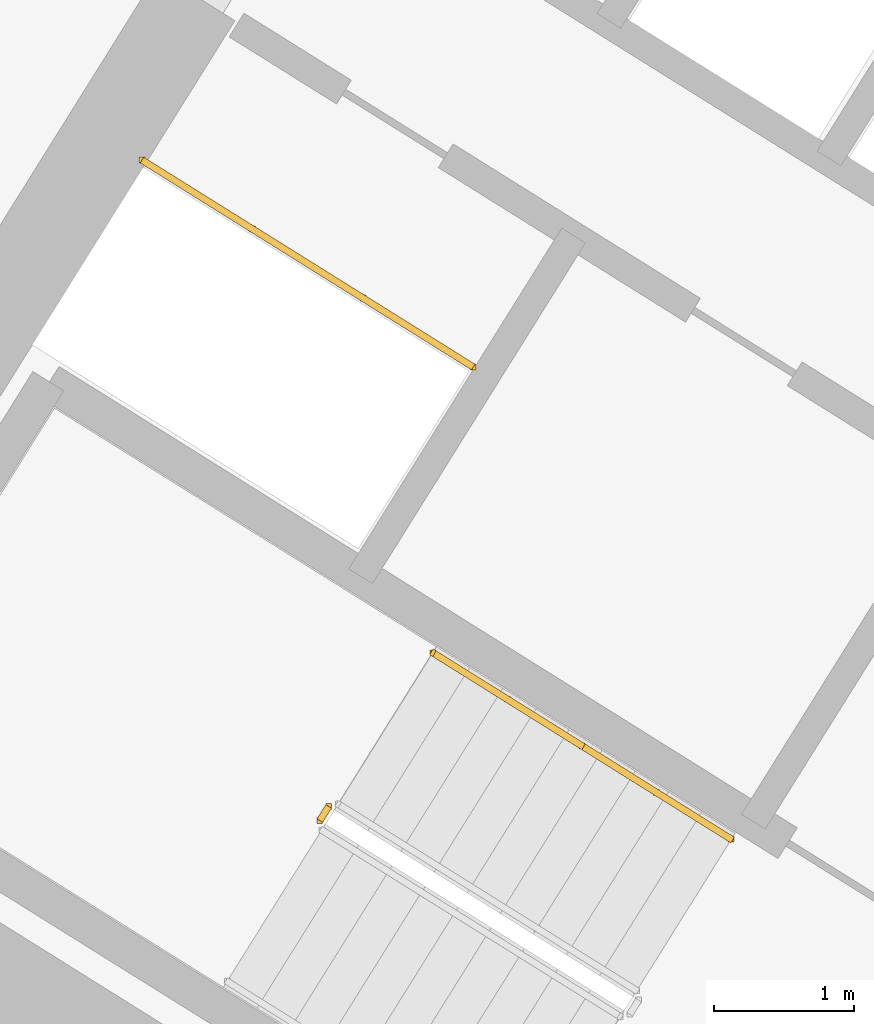
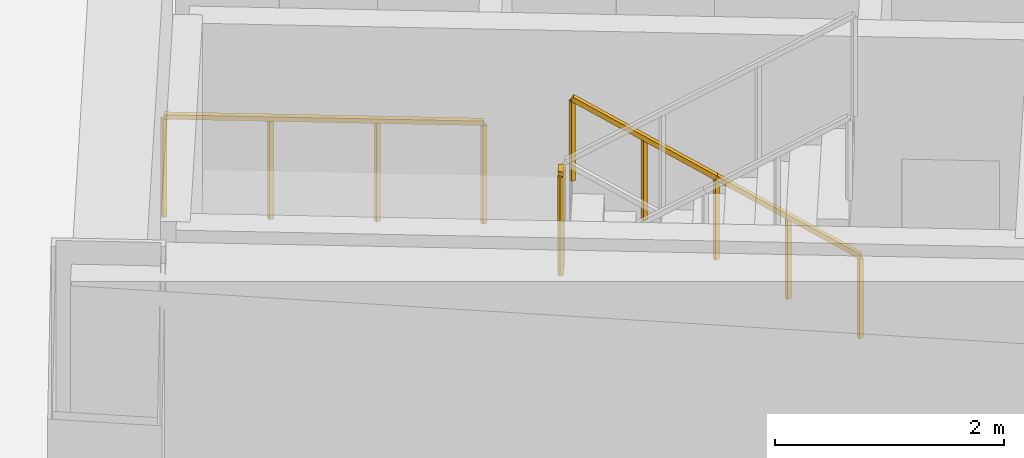
# One storey, part 24 of 28: 4 railings.
"""IFC4 building model written with IfcOpenShell, lengths in metres."""

import ifcopenshell
import ifcopenshell.guid

model = None  # the IFC model being written
_history = None  # IfcOwnerHistory: only IFC2X3 demands one
_inside = {}  # id of a spatial element -> (the spatial element, [elements in it])
_under = {}  # id of a project, library or spatial element -> (it, [spatial elements below it])
_declared = {}  # id of a project -> (the project, [libraries it declares])
_typed = {}  # id of a type object -> (the type object, [elements of that type])
_made_of = {}  # id of a material, layer set ... -> (it, [elements and type objects made of it])


def new_model(schema):
    """Start an empty IFC model of exactly this schema.

    Asked for "IFC4X3", IfcOpenShell would pick the latest addendum, in which some entities
    have other attributes; the version numbers below select the first issue.
    IFC2X3 requires an IfcOwnerHistory on every rooted entity: one is made here for all.
    """
    global model, _history
    if schema == "IFC4X3":
        model = ifcopenshell.file(schema_version=(4, 3, 0, 0))
    else:
        model = ifcopenshell.file(schema=schema)
    _inside.clear()
    _under.clear()
    _declared.clear()
    _typed.clear()
    _made_of.clear()
    _history = None
    if model.schema == "IFC2X3":
        org = make("IfcOrganization", Name="unknown")
        user = make(
            "IfcPersonAndOrganization",
            ThePerson=make("IfcPerson", FamilyName="unknown"),
            TheOrganization=org,
        )
        app = make(
            "IfcApplication",
            ApplicationDeveloper=org,
            Version="unknown",
            ApplicationFullName="unknown",
            ApplicationIdentifier="unknown",
        )
        _history = make(
            "IfcOwnerHistory",
            OwningUser=user,
            OwningApplication=app,
            ChangeAction="ADDED",
            CreationDate=0,
        )
    return model


def make(cls, **values):
    """One entity of the class cls with the attributes given. An attribute that is None is left unset."""
    return model.create_entity(
        cls, **{name: value for name, value in values.items() if value is not None}
    )


def rooted(cls, **values):
    """An entity with a GlobalId (a new one), such as an element, a storey or a relation."""
    return make(cls, GlobalId=ifcopenshell.guid.new(), OwnerHistory=_history, **values)


def si_unit(unit_type, name, prefix=None):
    """IfcSIUnit, for example si_unit("LENGTHUNIT", "METRE", prefix="MILLI")."""
    return make("IfcSIUnit", UnitType=unit_type, Prefix=prefix, Name=name)


def assignment(units):
    """IfcUnitAssignment: the units of a project."""
    return None if units is None else make("IfcUnitAssignment", Units=units)


def point(xyz):
    """IfcCartesianPoint."""
    return None if xyz is None else make("IfcCartesianPoint", Coordinates=xyz)


def direction(xyz):
    """IfcDirection."""
    return None if xyz is None else make("IfcDirection", DirectionRatios=xyz)


def frame(location, z_axis=None, x_axis=None):
    """IfcAxis2Placement3D, a coordinate frame: its origin and axes. An axis left out is left unset."""
    return make(
        "IfcAxis2Placement3D",
        Location=point(location),
        Axis=direction(z_axis),
        RefDirection=direction(x_axis),
    )


def frame_2d(location, x_axis=None):
    """IfcAxis2Placement2D, a coordinate frame in the plane: its origin and x axis."""
    return make(
        "IfcAxis2Placement2D", Location=point(location), RefDirection=direction(x_axis)
    )


def origin():
    """The frame at (0, 0, 0) with its axes left unset."""
    return frame((0.0, 0.0, 0.0))


def origin_2d():
    """The frame at (0, 0) in the plane with its x axis left unset."""
    return frame_2d((0.0, 0.0))


def place(relative_to, where):
    """IfcLocalPlacement: puts the frame where relative to a parent placement (None: the world)."""
    return make(
        "IfcLocalPlacement", PlacementRelTo=relative_to, RelativePlacement=where
    )


def context(
    kind, dimensions, precision=None, world=None, true_north=None, identifier=None
):
    """IfcGeometricRepresentationContext, for example the 3D "Model" context."""
    return make(
        "IfcGeometricRepresentationContext",
        ContextIdentifier=identifier,
        ContextType=kind,
        CoordinateSpaceDimension=dimensions,
        Precision=precision,
        WorldCoordinateSystem=world,
        TrueNorth=true_north,
    )


def subcontext(parent, identifier, kind, view, scale=None):
    """IfcGeometricRepresentationSubContext, for example "Body" below "Model"."""
    return make(
        "IfcGeometricRepresentationSubContext",
        ContextIdentifier=identifier,
        ContextType=kind,
        ParentContext=parent,
        TargetScale=scale,
        TargetView=view,
    )


def project(units=None, contexts=None):
    """IfcProject with its units and contexts."""
    return rooted(
        "IfcProject",
        Name="project",
        RepresentationContexts=contexts,
        UnitsInContext=assignment(units),
    )


def spatial(cls, under=None, at=None, **own):
    """A site, building, storey or space (cls), placed at a placement, below another one or the project."""
    s = rooted(cls, ObjectPlacement=at, **own)
    if under is not None:
        _under.setdefault(under.id(), (under, []))[1].append(s)
    return s


def profile(cls, at=None, kind="AREA", **sizes):
    """A parametric profile (cls). Its sizes go by their IFC names, for example OverallWidth=200.0."""
    return make(cls, ProfileType=kind, Position=at, **sizes)


def rectangle(**sizes):
    """IfcRectangleProfileDef."""
    return profile("IfcRectangleProfileDef", **sizes)


def extrude(swept, where, along, depth):
    """IfcExtrudedAreaSolid: the profile swept, set in the frame where, extruded along a direction by depth."""
    return make(
        "IfcExtrudedAreaSolid",
        SweptArea=swept,
        Position=where,
        ExtrudedDirection=direction(along),
        Depth=depth,
    )


def shape(context_of_items, identifier, shape_type, items):
    """IfcShapeRepresentation: the items that make up one representation, for example the "Body"."""
    return make(
        "IfcShapeRepresentation",
        ContextOfItems=context_of_items,
        RepresentationIdentifier=identifier,
        RepresentationType=shape_type,
        Items=items,
    )


def source(mapping_origin, context_of_items, identifier, shape_type, items):
    """IfcRepresentationMap: a shape defined once, which mapped items show again and again."""
    return make(
        "IfcRepresentationMap",
        MappingOrigin=mapping_origin,
        MappedRepresentation=shape(context_of_items, identifier, shape_type, items),
    )


def transform(
    local_origin,
    x_axis=None,
    y_axis=None,
    z_axis=None,
    scale=None,
    scale2=None,
    scale3=None,
    uniform=True,
):
    """IfcCartesianTransformationOperator3D, or its non-uniform kind. x_axis, y_axis, z_axis: its Axis1, 2, 3."""
    if uniform:
        return make(
            "IfcCartesianTransformationOperator3D",
            Axis1=direction(x_axis),
            Axis2=direction(y_axis),
            LocalOrigin=point(local_origin),
            Scale=scale,
            Axis3=direction(z_axis),
        )
    return make(
        "IfcCartesianTransformationOperator3DnonUniform",
        Axis1=direction(x_axis),
        Axis2=direction(y_axis),
        LocalOrigin=point(local_origin),
        Scale=scale,
        Axis3=direction(z_axis),
        Scale2=scale2,
        Scale3=scale3,
    )


def mapped(mapping_source, mapping_target):
    """IfcMappedItem: shows the shape of a source again, moved by a transform."""
    return make(
        "IfcMappedItem", MappingSource=mapping_source, MappingTarget=mapping_target
    )


def material(Name=None, Category=None):
    """IfcMaterial."""
    return make("IfcMaterial", Name=Name, Category=Category)


def made_of(thing, what):
    """Note that an element or type object is made of a material, layer set ...; save() writes the relation."""
    if what is not None:
        _made_of.setdefault(what.id(), (what, []))[1].append(thing)
    return thing


def type_object(cls, material=None, **own):
    """A type object (cls), such as IfcWallType, which elements share."""
    return made_of(rooted(cls, **own), material)


def element(
    cls,
    number,
    at=None,
    inside=None,
    cuts=None,
    type_object=None,
    material=None,
    context=None,
    identifier="Body",
    shape_type=None,
    held_by="IfcProductDefinitionShape",
    body=None,
    shapes=None,
    **own,
):
    """One element of the class cls, such as IfcWall. Its Tag is "e" and its number.

    at: its placement. inside: the storey or other place that contains it. cuts: it is an
    opening in that element (IfcRelVoidsElement). A single representation is given by context,
    identifier, shape_type and body (its items); several are given by shapes. held_by: the class
    of the entity that holds the representations. save() writes the other relations.
    """
    e = rooted(cls, Tag="e%d" % number, ObjectPlacement=at, **own)
    if body is not None:
        shapes = [shape(context, identifier, shape_type, body)]
    if shapes is not None:
        e.Representation = make(held_by, Representations=shapes)
    if inside is not None:
        _inside.setdefault(inside.id(), (inside, []))[1].append(e)
    if cuts is not None:
        rooted(
            "IfcRelVoidsElement", RelatingBuildingElement=cuts, RelatedOpeningElement=e
        )
    if type_object is not None:
        _typed.setdefault(type_object.id(), (type_object, []))[1].append(e)
    return made_of(e, material)


def aggregate(whole, parts):
    """IfcRelAggregates: a whole, such as a stair, and the parts it consists of."""
    return rooted("IfcRelAggregates", RelatingObject=whole, RelatedObjects=parts)


def save(model, path):
    """Write the relations noted so far, then the file.

    IfcRelAggregates (storeys below a building ...), IfcRelContainedInSpatialStructure (elements
    in a storey), IfcRelDefinesByType, IfcRelAssociatesMaterial and IfcRelDeclares: one each for
    every whole, place, type object, material and project.
    """
    for whole, parts in _under.values():
        aggregate(whole, parts)
    for where, things in _inside.values():
        rooted(
            "IfcRelContainedInSpatialStructure",
            RelatedElements=things,
            RelatingStructure=where,
        )
    for kind, things in _typed.values():
        rooted("IfcRelDefinesByType", RelatedObjects=things, RelatingType=kind)
    for what, things in _made_of.values():
        rooted("IfcRelAssociatesMaterial", RelatedObjects=things, RelatingMaterial=what)
    for by, libraries in _declared.values():
        rooted("IfcRelDeclares", RelatingContext=by, RelatedDefinitions=libraries)
    model.write(path)


model = new_model("IFC4")

# Units and contexts
model_context = context("Model", 3, precision=1e-05, world=origin(), true_north=direction((0.0, 1.0)))
body_context = subcontext(model_context, "Body", "Model", "MODEL_VIEW")
ifc_project = project(units=[si_unit("LENGTHUNIT", "METRE"), si_unit("AREAUNIT", "SQUARE_METRE"), si_unit("VOLUMEUNIT", "CUBIC_METRE"), si_unit("PLANEANGLEUNIT", "RADIAN"), si_unit("MASSUNIT", "GRAM", prefix="KILO")], contexts=[model_context])

# Site, building, storey
site_placement = place(None, origin())
site = spatial("IfcSite", under=ifc_project, at=site_placement, CompositionType="ELEMENT")
building_placement = place(site_placement, origin())
building = spatial("IfcBuilding", under=site, at=building_placement, Name="Tlacorven Tower", CompositionType="ELEMENT")
storey_placement = place(building_placement, frame((0.0, 0.0, 56.39990234375)))
storey = spatial("IfcBuildingStorey", under=building, at=storey_placement, Name="L14", CompositionType="ELEMENT", Elevation=56.39990234375)

# Railings
ifc_material = material(Name="Aluminium and painted steel balustrade", Category="steel")
railing_type_1 = type_object("IfcRailingType", Name="RL-GRD-1100", PredefinedType="GUARDRAIL", material=ifc_material)
shared_shape_1 = source(origin(), body_context, "Body", "SweptSolid", [
    extrude(rectangle(XDim=0.048095703125, YDim=0.048095703125, at=origin_2d()), frame((0.0, 0.0, 1.076171875), z_axis=(-0.848091358275, 0.529850024081, 0.0), x_axis=(-0.529850024081, -0.848091358275, 0.0)), (0.0, 0.0, 1.0), 2.800048828125),
    extrude(rectangle(XDim=0.0419921875, YDim=0.0419921875, at=origin_2d()), origin(), (0.0, 0.0, 1.0), 1.052001953125),
    extrude(rectangle(XDim=0.0419921875, YDim=0.0419921875, at=origin_2d()), frame((-0.79150390625, 0.49462890625, 0.0)), (0.0, 0.0, 1.0), 1.052001953125),
    extrude(rectangle(XDim=0.0419921875, YDim=0.0419921875, at=origin_2d()), frame((-1.583251953125, 0.989013671875, 0.0)), (0.0, 0.0, 1.0), 1.052001953125),
    extrude(rectangle(XDim=0.0419921875, YDim=0.0419921875, at=origin_2d()), frame((-2.374755859375, 1.483642578125, 0.0)), (0.0, 0.0, 1.0), 1.052001953125),
])
railing_1_placement = place(storey_placement, frame((27.9912109375, 22.32080078125, 0.0)))
element("IfcRailing", 1, at=railing_1_placement, inside=storey, type_object=railing_type_1, Name="L14 Electrical Riser W Shaft Guard 1", PredefinedType="GUARDRAIL", context=body_context, shape_type="MappedRepresentation", body=[
    mapped(shared_shape_1, transform((0.0, 0.0, 0.0), scale=1.0)),
])
shared_shape_2 = source(origin(), body_context, "Body", "SweptSolid", [
    extrude(rectangle(XDim=0.048095703125, YDim=0.048095703125, at=origin_2d()), frame((0.0, 0.0, 1.076171875), z_axis=(-0.530546985787, -0.847655529016, 0.0), x_axis=(0.847655529016, -0.530546985787, 0.0)), (0.0, 0.0, 1.0), 0.1201171875),
    extrude(rectangle(XDim=0.0419921875, YDim=0.0419921875, at=origin_2d()), origin(), (0.0, 0.0, 1.0), 1.052001953125),
    extrude(rectangle(XDim=0.0419921875, YDim=0.0419921875, at=origin_2d()), frame((-0.063720703125, -0.101806640625, 0.0)), (0.0, 0.0, 1.0), 1.052001953125),
])
railing_2_placement = place(storey_placement, frame((26.954833984375, 19.17138671875, 1.800048828125)))
element("IfcRailing", 2, at=railing_2_placement, inside=storey, type_object=railing_type_1, Name="L14 ST-W1 stair guard 2", PredefinedType="GUARDRAIL", context=body_context, shape_type="MappedRepresentation", body=[
    mapped(shared_shape_2, transform((0.0, 0.0, 0.0), scale=1.0)),
])
railing_type_2 = type_object("IfcRailingType", Name="RL-HND-0900", PredefinedType="HANDRAIL", material=ifc_material)
shared_shape_3 = source(origin(), body_context, "Body", "SweptSolid", [
    extrude(rectangle(XDim=0.048095703125, YDim=0.048095703125, at=origin_2d()), frame((0.0, 0.0, 0.8759765625), z_axis=(-0.713359751793, 0.4457479829, 0.540764828981), x_axis=(-0.529911857636, -0.848052724267, 0.0)), (0.0, 0.0, 1.0), 1.498046875),
    extrude(rectangle(XDim=0.0419921875, YDim=0.0419921875, at=origin_2d()), origin(), (0.0, 0.0, 1.0), 0.851806640625),
    extrude(rectangle(XDim=0.0419921875, YDim=0.0419921875, at=origin_2d()), frame((-0.5341796875, 0.333984375, 0.405029296875)), (0.0, 0.0, 1.0), 0.851806640625),
    extrude(rectangle(XDim=0.0419921875, YDim=0.0419921875, at=origin_2d()), frame((-1.068603515625, 0.667724609375, 0.81005859375)), (0.0, 0.0, 1.0), 0.851806640625),
])
railing_3_placement = place(storey_placement, frame((28.7705078125, 19.60498046875, 0.989990234375)))
element("IfcRailing", 3, at=railing_3_placement, inside=storey, type_object=railing_type_2, Name="L14 ST-W1 stair handrail 2", PredefinedType="HANDRAIL", context=body_context, shape_type="MappedRepresentation", body=[
    mapped(shared_shape_3, transform((0.0, 0.0, 0.0), scale=1.0)),
])
shared_shape_4 = source(origin(), body_context, "Body", "SweptSolid", [
    extrude(rectangle(XDim=0.048095703125, YDim=0.048095703125, at=origin_2d()), frame((0.0, 0.0, 0.8759765625), z_axis=(-0.713422621445, 0.445787267455, 0.540649494022), x_axis=(-0.529911857636, -0.848052724267, 0.0)), (0.0, 0.0, 1.0), 1.497802734375),
    extrude(rectangle(XDim=0.0419921875, YDim=0.0419921875, at=origin_2d()), origin(), (0.0, 0.0, 1.0), 0.851806640625),
    extrude(rectangle(XDim=0.0419921875, YDim=0.0419921875, at=origin_2d()), frame((-0.5341796875, 0.333984375, 0.40478515625)), (0.0, 0.0, 1.0), 0.851806640625),
    extrude(rectangle(XDim=0.0419921875, YDim=0.0419921875, at=origin_2d()), frame((-1.068603515625, 0.667724609375, 0.809814453125)), (0.0, 0.0, 1.0), 0.851806640625),
])
railing_4_placement = place(storey_placement, frame((29.839111328125, 18.937255859375, 0.18017578125)))
element("IfcRailing", 4, at=railing_4_placement, inside=storey, type_object=railing_type_2, Name="L14 ST-W1 stair handrail 1", PredefinedType="HANDRAIL", context=body_context, shape_type="MappedRepresentation", body=[
    mapped(shared_shape_4, transform((0.0, 0.0, 0.0), scale=1.0)),
])

save(model, "model.ifc")
